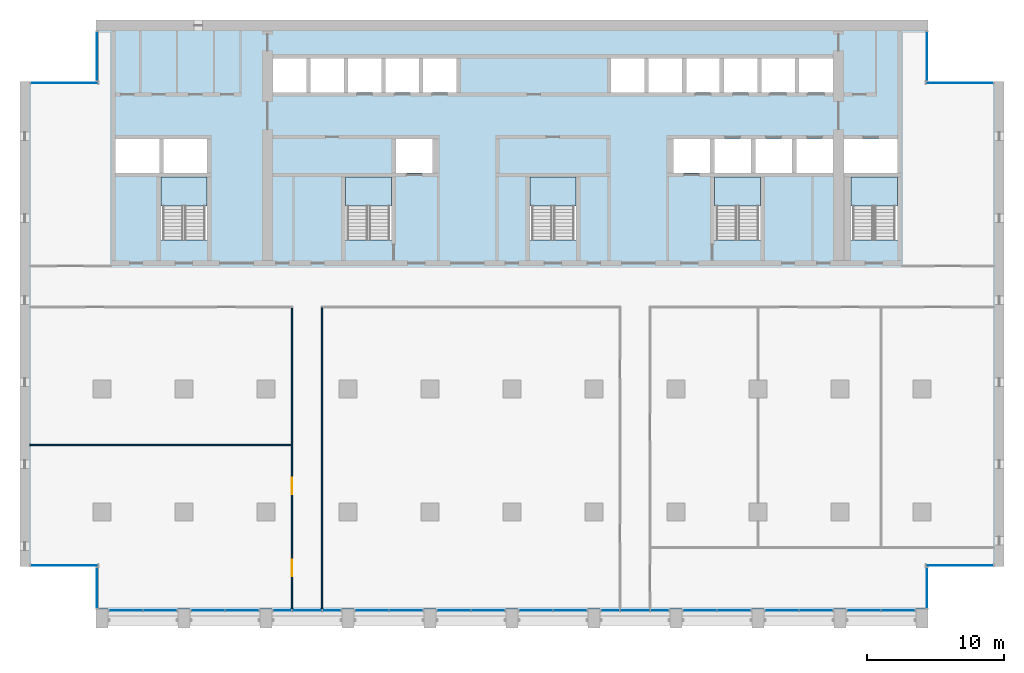
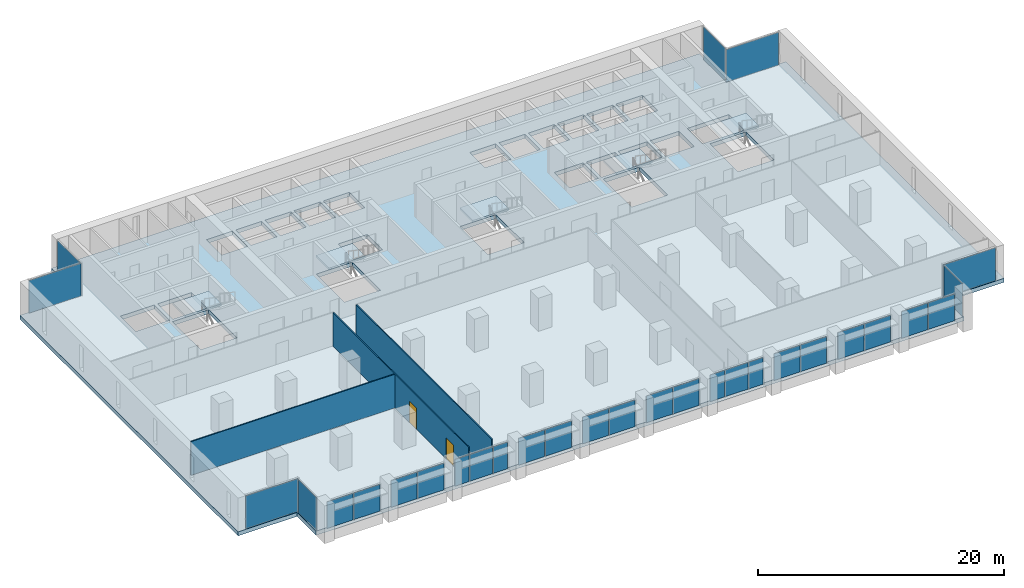
# One storey, part 7 of 15: 30 plates, 6 slabs, 3 walls, 2 doors, 2 openings, 23 elements without a shape of their own.
"""IFC4 building model written with IfcOpenShell, lengths in metres."""

from ifc_helpers import new_model, si_unit, direction, frame, frame_2d, origin, origin_2d, place, context, subcontext, project, spatial, polyline, rectangle, outline, extrude, material, layer, layer_set, type_object, element, fill, aggregate, save


model = new_model("IFC4")

# Units and contexts
model_context = context("Model", 3, precision=1e-05, world=origin(), true_north=direction((0.0, 1.0)))
body_context = subcontext(model_context, "Body", "Model", "MODEL_VIEW")
ifc_project = project(units=[si_unit("LENGTHUNIT", "METRE"), si_unit("AREAUNIT", "SQUARE_METRE"), si_unit("VOLUMEUNIT", "CUBIC_METRE"), si_unit("PLANEANGLEUNIT", "RADIAN"), si_unit("MASSUNIT", "GRAM", prefix="KILO")], contexts=[model_context])

# Site, building, storey
site_placement = place(None, origin())
site = spatial("IfcSite", under=ifc_project, at=site_placement, CompositionType="ELEMENT")
building_placement = place(site_placement, origin())
building = spatial("IfcBuilding", under=site, at=building_placement, Name="Calvaro Tower", CompositionType="ELEMENT")
storey_placement = place(building_placement, frame((0.0, 0.0, 128.75)))
storey = spatial("IfcBuildingStorey", under=building, at=storey_placement, Name="L32", CompositionType="ELEMENT", Elevation=128.75)

# Slab
ifc_material_1 = material(Name="Concrete C40/50", Category="concrete")
ifc_layer_1 = layer(ifc_material_1, 0.39990234375)
ifc_layer_set_1 = layer_set([ifc_layer_1], Name="Concrete C40/50")
slab_type_1 = type_object("IfcSlabType", Name="Floor slab 400 C40/50", PredefinedType="FLOOR", material=ifc_layer_set_1)
slab_1_placement = place(storey_placement, frame((0.0, 0.0, -0.39990234375)))
element("IfcSlab", 1, at=slab_1_placement, inside=storey, type_object=slab_type_1, Name="Floor slab", PredefinedType="FLOOR", context=body_context, shape_type="SweptSolid", body=[
    extrude(outline(polyline([(66.449951171875, 6.0), (66.449951171875, 2.89990234375), (5.550048828125, 2.89990234375), (5.550048828125, 6.0), (0.0, 6.0), (0.0, 41.5), (5.550048828125, 41.5), (5.550048828125, 46.0), (66.449951171875, 46.0), (66.449951171875, 41.5), (72.0, 41.5), (72.0, 6.0), (66.449951171875, 6.0)]), holes=[polyline([(10.300048828125, 29.909912109375), (10.300048828125, 34.5), (12.0, 34.5), (13.699951171875, 34.5), (13.699951171875, 29.909912109375), (12.0, 29.909912109375), (10.300048828125, 29.909912109375)]), polyline([(23.800048828125, 29.909912109375), (23.800048828125, 34.5), (25.5, 34.5), (27.199951171875, 34.5), (27.199951171875, 29.909912109375), (25.5, 29.909912109375), (23.800048828125, 29.909912109375)]), polyline([(37.300048828125, 29.909912109375), (37.300048828125, 34.5), (39.0, 34.5), (40.699951171875, 34.5), (40.699951171875, 29.909912109375), (39.0, 29.909912109375), (37.300048828125, 29.909912109375)]), polyline([(50.800048828125, 29.909912109375), (50.800048828125, 34.5), (52.5, 34.5), (54.199951171875, 34.5), (54.199951171875, 29.909912109375), (52.5, 29.909912109375), (50.800048828125, 29.909912109375)]), polyline([(60.800048828125, 29.909912109375), (60.800048828125, 34.5), (62.5, 34.5), (64.199951171875, 34.5), (64.199951171875, 29.909912109375), (62.5, 29.909912109375), (60.800048828125, 29.909912109375)]), polyline([(50.800048828125, 34.800048828125), (53.5, 34.800048828125), (53.5, 37.300048828125), (50.800048828125, 37.300048828125), (50.800048828125, 34.800048828125)]), polyline([(53.800048828125, 34.800048828125), (56.5, 34.800048828125), (56.5, 37.300048828125), (53.800048828125, 37.300048828125), (53.800048828125, 34.800048828125)]), polyline([(56.800048828125, 34.800048828125), (59.5, 34.800048828125), (59.5, 37.300048828125), (56.800048828125, 37.300048828125), (56.800048828125, 34.800048828125)]), polyline([(18.5, 40.699951171875), (20.949951171875, 40.699951171875), (20.949951171875, 43.199951171875), (18.5, 43.199951171875), (18.5, 40.699951171875)]), polyline([(21.25, 40.699951171875), (23.699951171875, 40.699951171875), (23.699951171875, 43.199951171875), (21.25, 43.199951171875), (21.25, 40.699951171875)]), polyline([(24.0, 40.699951171875), (26.449951171875, 40.699951171875), (26.449951171875, 43.199951171875), (24.0, 43.199951171875), (24.0, 40.699951171875)]), polyline([(26.75, 40.699951171875), (29.199951171875, 40.699951171875), (29.199951171875, 43.199951171875), (26.75, 43.199951171875), (26.75, 40.699951171875)]), polyline([(29.5, 40.699951171875), (31.949951171875, 40.699951171875), (31.949951171875, 43.199951171875), (29.5, 43.199951171875), (29.5, 40.699951171875)]), polyline([(43.25, 40.699951171875), (45.699951171875, 40.699951171875), (45.699951171875, 43.199951171875), (43.25, 43.199951171875), (43.25, 40.699951171875)]), polyline([(46.0, 40.699951171875), (48.449951171875, 40.699951171875), (48.449951171875, 43.199951171875), (46.0, 43.199951171875), (46.0, 40.699951171875)]), polyline([(48.75, 40.699951171875), (51.199951171875, 40.699951171875), (51.199951171875, 43.199951171875), (48.75, 43.199951171875), (48.75, 40.699951171875)]), polyline([(51.5, 40.699951171875), (53.949951171875, 40.699951171875), (53.949951171875, 43.199951171875), (51.5, 43.199951171875), (51.5, 40.699951171875)]), polyline([(54.25, 40.699951171875), (56.699951171875, 40.699951171875), (56.699951171875, 43.199951171875), (54.25, 43.199951171875), (54.25, 40.699951171875)]), polyline([(57.0, 40.699951171875), (59.5, 40.699951171875), (59.5, 43.199951171875), (57.0, 43.199951171875), (57.0, 40.699951171875)]), polyline([(7.0, 34.800048828125), (10.199951171875, 34.800048828125), (10.199951171875, 37.300048828125), (7.0, 37.300048828125), (7.0, 34.800048828125)]), polyline([(10.5, 34.800048828125), (13.699951171875, 34.800048828125), (13.699951171875, 37.300048828125), (10.5, 37.300048828125), (10.5, 34.800048828125)]), polyline([(60.300048828125, 34.800048828125), (64.199951171875, 34.800048828125), (64.199951171875, 37.300048828125), (60.300048828125, 37.300048828125), (60.300048828125, 34.800048828125)]), polyline([(27.5, 34.800048828125), (30.199951171875, 34.800048828125), (30.199951171875, 37.300048828125), (27.5, 37.300048828125), (27.5, 34.800048828125)]), polyline([(47.800048828125, 34.800048828125), (50.5, 34.800048828125), (50.5, 37.300048828125), (47.800048828125, 37.300048828125), (47.800048828125, 34.800048828125)])]), origin(), (0.0, 0.0, 1.0), 0.39990234375),
])

# Curtain wall, plates
ifc_material_2 = material(Name="Anodised aluminium", Category="aluminium")
curtain_wall_type = type_object("IfcCurtainWallType", Name="Office curtain wall, middle zone", PredefinedType="NOTDEFINED", material=ifc_material_2)
curtain_wall_1_placement = place(storey_placement, origin())
curtain_wall_1 = element("IfcCurtainWall", 2, at=curtain_wall_1_placement, inside=storey, type_object=curtain_wall_type, Name="CW2 south curtain wall", PredefinedType="NOTDEFINED")
ifc_material_3 = material(Name="Glass", Category="glass")
ifc_layer_2 = layer(ifc_material_3, 0.031982421875)
ifc_layer_set_2 = layer_set([ifc_layer_2], Name="Glass")
plate_type = type_object("IfcPlateType", Name="Glass panel S2 32", PredefinedType="CURTAIN_PANEL", material=ifc_layer_set_2)
plate_1_placement = place(storey_placement, frame((7.742431640625, 2.800048828125, 0.0), z_axis=(0.0, 0.0, 1.0), x_axis=(1.0, 0.0, 0.0)))
plate_1 = element("IfcPlate", 3, at=plate_1_placement, type_object=plate_type, Name="CW2 glass panel 1.1", PredefinedType="CURTAIN_PANEL", context=body_context, shape_type="SweptSolid", body=[
    extrude(rectangle(XDim=2.445068359375, YDim=0.031982421875, at=origin_2d()), origin(), (0.0, 0.0, 1.0), 2.64990234375),
])
plate_2_placement = place(storey_placement, frame((10.257568359375, 2.800048828125, 0.0), z_axis=(0.0, 0.0, 1.0), x_axis=(1.0, 0.0, 0.0)))
plate_2 = element("IfcPlate", 4, at=plate_2_placement, type_object=plate_type, Name="CW2 glass panel 2.1", PredefinedType="CURTAIN_PANEL", context=body_context, shape_type="SweptSolid", body=[
    extrude(rectangle(XDim=2.445068359375, YDim=0.031982421875, at=origin_2d()), origin(), (0.0, 0.0, 1.0), 2.64990234375),
])
aggregate(curtain_wall_1, [plate_1, plate_2])

curtain_wall_2_placement = place(storey_placement, origin())
curtain_wall_2 = element("IfcCurtainWall", 5, at=curtain_wall_2_placement, inside=storey, type_object=curtain_wall_type, Name="CW2 south curtain wall", PredefinedType="NOTDEFINED")
plate_3_placement = place(storey_placement, frame((13.742431640625, 2.800048828125, 0.0), z_axis=(0.0, 0.0, 1.0), x_axis=(1.0, 0.0, 0.0)))
plate_3 = element("IfcPlate", 6, at=plate_3_placement, type_object=plate_type, Name="CW2 glass panel 1.1", PredefinedType="CURTAIN_PANEL", context=body_context, shape_type="SweptSolid", body=[
    extrude(rectangle(XDim=2.445068359375, YDim=0.031982421875, at=origin_2d()), origin(), (0.0, 0.0, 1.0), 2.64990234375),
])
plate_4_placement = place(storey_placement, frame((16.257568359375, 2.800048828125, 0.0), z_axis=(0.0, 0.0, 1.0), x_axis=(1.0, 0.0, 0.0)))
plate_4 = element("IfcPlate", 7, at=plate_4_placement, type_object=plate_type, Name="CW2 glass panel 2.1", PredefinedType="CURTAIN_PANEL", context=body_context, shape_type="SweptSolid", body=[
    extrude(rectangle(XDim=2.445068359375, YDim=0.031982421875, at=origin_2d()), origin(), (0.0, 0.0, 1.0), 2.64990234375),
])
aggregate(curtain_wall_2, [plate_3, plate_4])

curtain_wall_3_placement = place(storey_placement, origin())
curtain_wall_3 = element("IfcCurtainWall", 8, at=curtain_wall_3_placement, inside=storey, type_object=curtain_wall_type, Name="CW2 south curtain wall", PredefinedType="NOTDEFINED")
plate_5_placement = place(storey_placement, frame((19.1923828125, 2.800048828125, 0.0), z_axis=(0.0, 0.0, 1.0), x_axis=(1.0, 0.0, 0.0)))
plate_5 = element("IfcPlate", 9, at=plate_5_placement, type_object=plate_type, Name="CW2 glass panel 1.1", PredefinedType="CURTAIN_PANEL", context=body_context, shape_type="SweptSolid", body=[
    extrude(rectangle(XDim=1.344970703125, YDim=0.031982421875, at=origin_2d()), origin(), (0.0, 0.0, 1.0), 2.64990234375),
])
plate_6_placement = place(storey_placement, frame((21.0, 2.800048828125, 0.0), z_axis=(0.0, 0.0, 1.0), x_axis=(1.0, 0.0, 0.0)))
plate_6 = element("IfcPlate", 10, at=plate_6_placement, type_object=plate_type, Name="CW2 glass panel 2.1", PredefinedType="CURTAIN_PANEL", context=body_context, shape_type="SweptSolid", body=[
    extrude(rectangle(XDim=2.1298828125, YDim=0.031982421875, at=origin_2d()), origin(), (0.0, 0.0, 1.0), 2.64990234375),
])
plate_7_placement = place(storey_placement, frame((22.8076171875, 2.800048828125, 0.0), z_axis=(0.0, 0.0, 1.0), x_axis=(1.0, 0.0, 0.0)))
plate_7 = element("IfcPlate", 11, at=plate_7_placement, type_object=plate_type, Name="CW2 glass panel 3.1", PredefinedType="CURTAIN_PANEL", context=body_context, shape_type="SweptSolid", body=[
    extrude(rectangle(XDim=1.344970703125, YDim=0.031982421875, at=origin_2d()), origin(), (0.0, 0.0, 1.0), 2.64990234375),
])
aggregate(curtain_wall_3, [plate_5, plate_6, plate_7])

curtain_wall_4_placement = place(storey_placement, origin())
curtain_wall_4 = element("IfcCurtainWall", 12, at=curtain_wall_4_placement, inside=storey, type_object=curtain_wall_type, Name="CW2 south curtain wall", PredefinedType="NOTDEFINED")
plate_8_placement = place(storey_placement, frame((25.742431640625, 2.800048828125, 0.0), z_axis=(0.0, 0.0, 1.0), x_axis=(1.0, 0.0, 0.0)))
plate_8 = element("IfcPlate", 13, at=plate_8_placement, type_object=plate_type, Name="CW2 glass panel 1.1", PredefinedType="CURTAIN_PANEL", context=body_context, shape_type="SweptSolid", body=[
    extrude(rectangle(XDim=2.445068359375, YDim=0.031982421875, at=origin_2d()), origin(), (0.0, 0.0, 1.0), 2.64990234375),
])
plate_9_placement = place(storey_placement, frame((28.257568359375, 2.800048828125, 0.0), z_axis=(0.0, 0.0, 1.0), x_axis=(1.0, 0.0, 0.0)))
plate_9 = element("IfcPlate", 14, at=plate_9_placement, type_object=plate_type, Name="CW2 glass panel 2.1", PredefinedType="CURTAIN_PANEL", context=body_context, shape_type="SweptSolid", body=[
    extrude(rectangle(XDim=2.445068359375, YDim=0.031982421875, at=origin_2d()), origin(), (0.0, 0.0, 1.0), 2.64990234375),
])
aggregate(curtain_wall_4, [plate_8, plate_9])

curtain_wall_5_placement = place(storey_placement, origin())
curtain_wall_5 = element("IfcCurtainWall", 15, at=curtain_wall_5_placement, inside=storey, type_object=curtain_wall_type, Name="CW2 south curtain wall", PredefinedType="NOTDEFINED")
plate_10_placement = place(storey_placement, frame((31.742431640625, 2.800048828125, 0.0), z_axis=(0.0, 0.0, 1.0), x_axis=(1.0, 0.0, 0.0)))
plate_10 = element("IfcPlate", 16, at=plate_10_placement, type_object=plate_type, Name="CW2 glass panel 1.1", PredefinedType="CURTAIN_PANEL", context=body_context, shape_type="SweptSolid", body=[
    extrude(rectangle(XDim=2.445068359375, YDim=0.031982421875, at=origin_2d()), origin(), (0.0, 0.0, 1.0), 2.64990234375),
])
plate_11_placement = place(storey_placement, frame((34.257568359375, 2.800048828125, 0.0), z_axis=(0.0, 0.0, 1.0), x_axis=(1.0, 0.0, 0.0)))
plate_11 = element("IfcPlate", 17, at=plate_11_placement, type_object=plate_type, Name="CW2 glass panel 2.1", PredefinedType="CURTAIN_PANEL", context=body_context, shape_type="SweptSolid", body=[
    extrude(rectangle(XDim=2.445068359375, YDim=0.031982421875, at=origin_2d()), origin(), (0.0, 0.0, 1.0), 2.64990234375),
])
aggregate(curtain_wall_5, [plate_10, plate_11])

curtain_wall_6_placement = place(storey_placement, origin())
curtain_wall_6 = element("IfcCurtainWall", 18, at=curtain_wall_6_placement, inside=storey, type_object=curtain_wall_type, Name="CW2 south curtain wall", PredefinedType="NOTDEFINED")
plate_12_placement = place(storey_placement, frame((37.742431640625, 2.800048828125, 0.0), z_axis=(0.0, 0.0, 1.0), x_axis=(1.0, 0.0, 0.0)))
plate_12 = element("IfcPlate", 19, at=plate_12_placement, type_object=plate_type, Name="CW2 glass panel 1.1", PredefinedType="CURTAIN_PANEL", context=body_context, shape_type="SweptSolid", body=[
    extrude(rectangle(XDim=2.445068359375, YDim=0.031982421875, at=origin_2d()), origin(), (0.0, 0.0, 1.0), 2.64990234375),
])
plate_13_placement = place(storey_placement, frame((40.257568359375, 2.800048828125, 0.0), z_axis=(0.0, 0.0, 1.0), x_axis=(1.0, 0.0, 0.0)))
plate_13 = element("IfcPlate", 20, at=plate_13_placement, type_object=plate_type, Name="CW2 glass panel 2.1", PredefinedType="CURTAIN_PANEL", context=body_context, shape_type="SweptSolid", body=[
    extrude(rectangle(XDim=2.445068359375, YDim=0.031982421875, at=origin_2d()), origin(), (0.0, 0.0, 1.0), 2.64990234375),
])
aggregate(curtain_wall_6, [plate_12, plate_13])

curtain_wall_7_placement = place(storey_placement, origin())
curtain_wall_7 = element("IfcCurtainWall", 21, at=curtain_wall_7_placement, inside=storey, type_object=curtain_wall_type, Name="CW2 south curtain wall", PredefinedType="NOTDEFINED")
plate_14_placement = place(storey_placement, frame((43.1923828125, 2.800048828125, 0.0), z_axis=(0.0, 0.0, 1.0), x_axis=(1.0, 0.0, 0.0)))
plate_14 = element("IfcPlate", 22, at=plate_14_placement, type_object=plate_type, Name="CW2 glass panel 1.1", PredefinedType="CURTAIN_PANEL", context=body_context, shape_type="SweptSolid", body=[
    extrude(rectangle(XDim=1.344970703125, YDim=0.031982421875, at=origin_2d()), origin(), (0.0, 0.0, 1.0), 2.64990234375),
])
plate_15_placement = place(storey_placement, frame((45.0, 2.800048828125, 0.0), z_axis=(0.0, 0.0, 1.0), x_axis=(1.0, 0.0, 0.0)))
plate_15 = element("IfcPlate", 23, at=plate_15_placement, type_object=plate_type, Name="CW2 glass panel 2.1", PredefinedType="CURTAIN_PANEL", context=body_context, shape_type="SweptSolid", body=[
    extrude(rectangle(XDim=2.1298828125, YDim=0.031982421875, at=origin_2d()), origin(), (0.0, 0.0, 1.0), 2.64990234375),
])
plate_16_placement = place(storey_placement, frame((46.8076171875, 2.800048828125, 0.0), z_axis=(0.0, 0.0, 1.0), x_axis=(1.0, 0.0, 0.0)))
plate_16 = element("IfcPlate", 24, at=plate_16_placement, type_object=plate_type, Name="CW2 glass panel 3.1", PredefinedType="CURTAIN_PANEL", context=body_context, shape_type="SweptSolid", body=[
    extrude(rectangle(XDim=1.344970703125, YDim=0.031982421875, at=origin_2d()), origin(), (0.0, 0.0, 1.0), 2.64990234375),
])
aggregate(curtain_wall_7, [plate_14, plate_15, plate_16])

curtain_wall_8_placement = place(storey_placement, origin())
curtain_wall_8 = element("IfcCurtainWall", 25, at=curtain_wall_8_placement, inside=storey, type_object=curtain_wall_type, Name="CW2 south curtain wall", PredefinedType="NOTDEFINED")
plate_17_placement = place(storey_placement, frame((49.742431640625, 2.800048828125, 0.0), z_axis=(0.0, 0.0, 1.0), x_axis=(1.0, 0.0, 0.0)))
plate_17 = element("IfcPlate", 26, at=plate_17_placement, type_object=plate_type, Name="CW2 glass panel 1.1", PredefinedType="CURTAIN_PANEL", context=body_context, shape_type="SweptSolid", body=[
    extrude(rectangle(XDim=2.445068359375, YDim=0.031982421875, at=origin_2d()), origin(), (0.0, 0.0, 1.0), 2.64990234375),
])
plate_18_placement = place(storey_placement, frame((52.257568359375, 2.800048828125, 0.0), z_axis=(0.0, 0.0, 1.0), x_axis=(1.0, 0.0, 0.0)))
plate_18 = element("IfcPlate", 27, at=plate_18_placement, type_object=plate_type, Name="CW2 glass panel 2.1", PredefinedType="CURTAIN_PANEL", context=body_context, shape_type="SweptSolid", body=[
    extrude(rectangle(XDim=2.445068359375, YDim=0.031982421875, at=origin_2d()), origin(), (0.0, 0.0, 1.0), 2.64990234375),
])
aggregate(curtain_wall_8, [plate_17, plate_18])

curtain_wall_9_placement = place(storey_placement, origin())
curtain_wall_9 = element("IfcCurtainWall", 28, at=curtain_wall_9_placement, inside=storey, type_object=curtain_wall_type, Name="CW2 south curtain wall", PredefinedType="NOTDEFINED")
plate_19_placement = place(storey_placement, frame((55.742431640625, 2.800048828125, 0.0), z_axis=(0.0, 0.0, 1.0), x_axis=(1.0, 0.0, 0.0)))
plate_19 = element("IfcPlate", 29, at=plate_19_placement, type_object=plate_type, Name="CW2 glass panel 1.1", PredefinedType="CURTAIN_PANEL", context=body_context, shape_type="SweptSolid", body=[
    extrude(rectangle(XDim=2.445068359375, YDim=0.031982421875, at=origin_2d()), origin(), (0.0, 0.0, 1.0), 2.64990234375),
])
plate_20_placement = place(storey_placement, frame((58.257568359375, 2.800048828125, 0.0), z_axis=(0.0, 0.0, 1.0), x_axis=(1.0, 0.0, 0.0)))
plate_20 = element("IfcPlate", 30, at=plate_20_placement, type_object=plate_type, Name="CW2 glass panel 2.1", PredefinedType="CURTAIN_PANEL", context=body_context, shape_type="SweptSolid", body=[
    extrude(rectangle(XDim=2.445068359375, YDim=0.031982421875, at=origin_2d()), origin(), (0.0, 0.0, 1.0), 2.64990234375),
])
aggregate(curtain_wall_9, [plate_19, plate_20])

curtain_wall_10_placement = place(storey_placement, origin())
curtain_wall_10 = element("IfcCurtainWall", 31, at=curtain_wall_10_placement, inside=storey, type_object=curtain_wall_type, Name="CW2 south curtain wall", PredefinedType="NOTDEFINED")
plate_21_placement = place(storey_placement, frame((61.742431640625, 2.800048828125, 0.0), z_axis=(0.0, 0.0, 1.0), x_axis=(1.0, 0.0, 0.0)))
plate_21 = element("IfcPlate", 32, at=plate_21_placement, type_object=plate_type, Name="CW2 glass panel 1.1", PredefinedType="CURTAIN_PANEL", context=body_context, shape_type="SweptSolid", body=[
    extrude(rectangle(XDim=2.445068359375, YDim=0.031982421875, at=origin_2d()), origin(), (0.0, 0.0, 1.0), 2.64990234375),
])
plate_22_placement = place(storey_placement, frame((64.257568359375, 2.800048828125, 0.0), z_axis=(0.0, 0.0, 1.0), x_axis=(1.0, 0.0, 0.0)))
plate_22 = element("IfcPlate", 33, at=plate_22_placement, type_object=plate_type, Name="CW2 glass panel 2.1", PredefinedType="CURTAIN_PANEL", context=body_context, shape_type="SweptSolid", body=[
    extrude(rectangle(XDim=2.445068359375, YDim=0.031982421875, at=origin_2d()), origin(), (0.0, 0.0, 1.0), 2.64990234375),
])
aggregate(curtain_wall_10, [plate_21, plate_22])

# Curtain wall, plate
curtain_wall_11_placement = place(storey_placement, origin())
curtain_wall_11 = element("IfcCurtainWall", 34, at=curtain_wall_11_placement, inside=storey, type_object=curtain_wall_type, Name="CW2 corner curtain wall", PredefinedType="NOTDEFINED")
plate_23_placement = place(storey_placement, frame((5.64990234375, 4.449951171875, 0.0), z_axis=(0.0, 0.0, 1.0), x_axis=(0.0, 1.0, 0.0)))
plate_23 = element("IfcPlate", 35, at=plate_23_placement, type_object=plate_type, Name="CW2 glass panel 1.1", PredefinedType="CURTAIN_PANEL", context=body_context, shape_type="SweptSolid", body=[
    extrude(rectangle(XDim=2.9599609375, YDim=0.031982421875, at=origin_2d()), origin(), (0.0, 0.0, 1.0), 3.25),
])
aggregate(curtain_wall_11, [plate_23])

curtain_wall_12_placement = place(storey_placement, origin())
curtain_wall_12 = element("IfcCurtainWall", 36, at=curtain_wall_12_placement, inside=storey, type_object=curtain_wall_type, Name="CW2 corner curtain wall", PredefinedType="NOTDEFINED")
plate_24_placement = place(storey_placement, frame((3.22509765625, 6.10009765625, 0.0), z_axis=(0.0, 0.0, 1.0), x_axis=(1.0, 0.0, 0.0)))
plate_24 = element("IfcPlate", 37, at=plate_24_placement, type_object=plate_type, Name="CW2 glass panel 1.1", PredefinedType="CURTAIN_PANEL", context=body_context, shape_type="SweptSolid", body=[
    extrude(rectangle(XDim=4.909912109375, YDim=0.031982421875, at=origin_2d()), origin(), (0.0, 0.0, 1.0), 3.25),
])
aggregate(curtain_wall_12, [plate_24])

curtain_wall_13_placement = place(storey_placement, origin())
curtain_wall_13 = element("IfcCurtainWall", 38, at=curtain_wall_13_placement, inside=storey, type_object=curtain_wall_type, Name="CW2 corner curtain wall", PredefinedType="NOTDEFINED")
plate_25_placement = place(storey_placement, frame((5.64990234375, 43.35009765625, 0.0), z_axis=(0.0, 0.0, 1.0), x_axis=(0.0, 1.0, 0.0)))
plate_25 = element("IfcPlate", 39, at=plate_25_placement, type_object=plate_type, Name="CW2 glass panel 1.1", PredefinedType="CURTAIN_PANEL", context=body_context, shape_type="SweptSolid", body=[
    extrude(rectangle(XDim=3.56005859375, YDim=0.031982421875, at=origin_2d()), origin(), (0.0, 0.0, 1.0), 3.25),
])
aggregate(curtain_wall_13, [plate_25])

curtain_wall_14_placement = place(storey_placement, origin())
curtain_wall_14 = element("IfcCurtainWall", 40, at=curtain_wall_14_placement, inside=storey, type_object=curtain_wall_type, Name="CW2 corner curtain wall", PredefinedType="NOTDEFINED")
plate_26_placement = place(storey_placement, frame((3.22509765625, 41.39990234375, 0.0), z_axis=(0.0, 0.0, 1.0), x_axis=(1.0, 0.0, 0.0)))
plate_26 = element("IfcPlate", 41, at=plate_26_placement, type_object=plate_type, Name="CW2 glass panel 1.1", PredefinedType="CURTAIN_PANEL", context=body_context, shape_type="SweptSolid", body=[
    extrude(rectangle(XDim=4.909912109375, YDim=0.031982421875, at=origin_2d()), origin(), (0.0, 0.0, 1.0), 3.25),
])
aggregate(curtain_wall_14, [plate_26])

curtain_wall_15_placement = place(storey_placement, origin())
curtain_wall_15 = element("IfcCurtainWall", 42, at=curtain_wall_15_placement, inside=storey, type_object=curtain_wall_type, Name="CW2 corner curtain wall", PredefinedType="NOTDEFINED")
plate_27_placement = place(storey_placement, frame((66.35009765625, 4.449951171875, 0.0), z_axis=(0.0, 0.0, 1.0), x_axis=(0.0, 1.0, 0.0)))
plate_27 = element("IfcPlate", 43, at=plate_27_placement, type_object=plate_type, Name="CW2 glass panel 1.1", PredefinedType="CURTAIN_PANEL", context=body_context, shape_type="SweptSolid", body=[
    extrude(rectangle(XDim=2.9599609375, YDim=0.031982421875, at=origin_2d()), origin(), (0.0, 0.0, 1.0), 3.25),
])
aggregate(curtain_wall_15, [plate_27])

curtain_wall_16_placement = place(storey_placement, origin())
curtain_wall_16 = element("IfcCurtainWall", 44, at=curtain_wall_16_placement, inside=storey, type_object=curtain_wall_type, Name="CW2 corner curtain wall", PredefinedType="NOTDEFINED")
plate_28_placement = place(storey_placement, frame((68.77490234375, 6.10009765625, 0.0), z_axis=(0.0, 0.0, 1.0), x_axis=(1.0, 0.0, 0.0)))
plate_28 = element("IfcPlate", 45, at=plate_28_placement, type_object=plate_type, Name="CW2 glass panel 1.1", PredefinedType="CURTAIN_PANEL", context=body_context, shape_type="SweptSolid", body=[
    extrude(rectangle(XDim=4.909912109375, YDim=0.031982421875, at=origin_2d()), origin(), (0.0, 0.0, 1.0), 3.25),
])
aggregate(curtain_wall_16, [plate_28])

curtain_wall_17_placement = place(storey_placement, origin())
curtain_wall_17 = element("IfcCurtainWall", 46, at=curtain_wall_17_placement, inside=storey, type_object=curtain_wall_type, Name="CW2 corner curtain wall", PredefinedType="NOTDEFINED")
plate_29_placement = place(storey_placement, frame((66.35009765625, 43.35009765625, 0.0), z_axis=(0.0, 0.0, 1.0), x_axis=(0.0, 1.0, 0.0)))
plate_29 = element("IfcPlate", 47, at=plate_29_placement, type_object=plate_type, Name="CW2 glass panel 1.1", PredefinedType="CURTAIN_PANEL", context=body_context, shape_type="SweptSolid", body=[
    extrude(rectangle(XDim=3.56005859375, YDim=0.031982421875, at=origin_2d()), origin(), (0.0, 0.0, 1.0), 3.25),
])
aggregate(curtain_wall_17, [plate_29])

curtain_wall_18_placement = place(storey_placement, origin())
curtain_wall_18 = element("IfcCurtainWall", 48, at=curtain_wall_18_placement, inside=storey, type_object=curtain_wall_type, Name="CW2 corner curtain wall", PredefinedType="NOTDEFINED")
plate_30_placement = place(storey_placement, frame((68.77490234375, 41.39990234375, 0.0), z_axis=(0.0, 0.0, 1.0), x_axis=(1.0, 0.0, 0.0)))
plate_30 = element("IfcPlate", 49, at=plate_30_placement, type_object=plate_type, Name="CW2 glass panel 1.1", PredefinedType="CURTAIN_PANEL", context=body_context, shape_type="SweptSolid", body=[
    extrude(rectangle(XDim=4.909912109375, YDim=0.031982421875, at=origin_2d()), origin(), (0.0, 0.0, 1.0), 3.25),
])
aggregate(curtain_wall_18, [plate_30])

# Stair, slab
ifc_material_4 = material(Name="Concrete C40/50", Category="concrete")
stair_type = type_object("IfcStairType", Name="Exit stair 1400 2 flights", PredefinedType="HALF_TURN_STAIR", material=ifc_material_4)
stair_1_placement = place(storey_placement, origin())
stair_1 = element("IfcStair", 50, at=stair_1_placement, inside=storey, type_object=stair_type, Name="Exit stair S1", PredefinedType="HALF_TURN_STAIR")
ifc_material_5 = material(Name="Concrete C40/50", Category="concrete")
ifc_layer_3 = layer(ifc_material_5, 0.199951171875)
ifc_layer_set_3 = layer_set([ifc_layer_3], Name="Concrete C40/50")
slab_type_2 = type_object("IfcSlabType", Name="Stair landing", PredefinedType="LANDING", material=ifc_layer_set_3)
slab_2_placement = place(storey_placement, frame((0.0, 0.0, 1.675048828125)))
slab_2 = element("IfcSlab", 51, at=slab_2_placement, type_object=slab_type_2, Name="Exit stair 1, landing 1", PredefinedType="LANDING", context=body_context, shape_type="SweptSolid", body=[
    extrude(outline(polyline([(11.89990234375, 32.389892578125), (10.5, 32.389892578125), (10.5, 32.39990234375), (10.300048828125, 32.39990234375), (10.300048828125, 34.5), (10.5, 34.5), (11.89990234375, 34.5), (12.10009765625, 34.5), (13.5, 34.5), (13.699951171875, 34.5), (13.699951171875, 32.39990234375), (13.5, 32.39990234375), (13.5, 32.389892578125), (12.10009765625, 32.389892578125), (12.10009765625, 32.39990234375), (11.89990234375, 32.39990234375), (11.89990234375, 32.389892578125)])), origin(), (0.0, 0.0, 1.0), 0.199951171875),
])
aggregate(stair_1, [slab_2])

stair_2_placement = place(storey_placement, origin())
stair_2 = element("IfcStair", 52, at=stair_2_placement, inside=storey, type_object=stair_type, Name="Exit stair S2", PredefinedType="HALF_TURN_STAIR")
slab_3_placement = place(storey_placement, frame((0.0, 0.0, 1.675048828125)))
slab_3 = element("IfcSlab", 53, at=slab_3_placement, type_object=slab_type_2, Name="Exit stair 2, landing 1", PredefinedType="LANDING", context=body_context, shape_type="SweptSolid", body=[
    extrude(outline(polyline([(25.39990234375, 32.389892578125), (24.0, 32.389892578125), (24.0, 32.39990234375), (23.800048828125, 32.39990234375), (23.800048828125, 34.5), (24.0, 34.5), (25.39990234375, 34.5), (25.60009765625, 34.5), (27.0, 34.5), (27.199951171875, 34.5), (27.199951171875, 32.39990234375), (27.0, 32.39990234375), (27.0, 32.389892578125), (25.60009765625, 32.389892578125), (25.60009765625, 32.39990234375), (25.39990234375, 32.39990234375), (25.39990234375, 32.389892578125)])), origin(), (0.0, 0.0, 1.0), 0.199951171875),
])
aggregate(stair_2, [slab_3])

stair_3_placement = place(storey_placement, origin())
stair_3 = element("IfcStair", 54, at=stair_3_placement, inside=storey, type_object=stair_type, Name="Exit stair S3", PredefinedType="HALF_TURN_STAIR")
slab_4_placement = place(storey_placement, frame((0.0, 0.0, 1.675048828125)))
slab_4 = element("IfcSlab", 55, at=slab_4_placement, type_object=slab_type_2, Name="Exit stair 3, landing 1", PredefinedType="LANDING", context=body_context, shape_type="SweptSolid", body=[
    extrude(outline(polyline([(38.89990234375, 32.389892578125), (37.5, 32.389892578125), (37.5, 32.39990234375), (37.300048828125, 32.39990234375), (37.300048828125, 34.5), (37.5, 34.5), (38.89990234375, 34.5), (39.10009765625, 34.5), (40.5, 34.5), (40.699951171875, 34.5), (40.699951171875, 32.39990234375), (40.5, 32.39990234375), (40.5, 32.389892578125), (39.10009765625, 32.389892578125), (39.10009765625, 32.39990234375), (38.89990234375, 32.39990234375), (38.89990234375, 32.389892578125)])), origin(), (0.0, 0.0, 1.0), 0.199951171875),
])
aggregate(stair_3, [slab_4])

stair_4_placement = place(storey_placement, origin())
stair_4 = element("IfcStair", 56, at=stair_4_placement, inside=storey, type_object=stair_type, Name="Exit stair S4", PredefinedType="HALF_TURN_STAIR")
slab_5_placement = place(storey_placement, frame((0.0, 0.0, 1.675048828125)))
slab_5 = element("IfcSlab", 57, at=slab_5_placement, type_object=slab_type_2, Name="Exit stair 4, landing 1", PredefinedType="LANDING", context=body_context, shape_type="SweptSolid", body=[
    extrude(outline(polyline([(52.39990234375, 32.389892578125), (51.0, 32.389892578125), (51.0, 32.39990234375), (50.800048828125, 32.39990234375), (50.800048828125, 34.5), (51.0, 34.5), (52.39990234375, 34.5), (52.60009765625, 34.5), (54.0, 34.5), (54.199951171875, 34.5), (54.199951171875, 32.39990234375), (54.0, 32.39990234375), (54.0, 32.389892578125), (52.60009765625, 32.389892578125), (52.60009765625, 32.39990234375), (52.39990234375, 32.39990234375), (52.39990234375, 32.389892578125)])), origin(), (0.0, 0.0, 1.0), 0.199951171875),
])
aggregate(stair_4, [slab_5])

stair_5_placement = place(storey_placement, origin())
stair_5 = element("IfcStair", 58, at=stair_5_placement, inside=storey, type_object=stair_type, Name="Exit stair S5", PredefinedType="HALF_TURN_STAIR")
slab_6_placement = place(storey_placement, frame((0.0, 0.0, 1.675048828125)))
slab_6 = element("IfcSlab", 59, at=slab_6_placement, type_object=slab_type_2, Name="Exit stair 5, landing 1", PredefinedType="LANDING", context=body_context, shape_type="SweptSolid", body=[
    extrude(outline(polyline([(62.39990234375, 32.389892578125), (61.0, 32.389892578125), (61.0, 32.39990234375), (60.800048828125, 32.39990234375), (60.800048828125, 34.5), (61.0, 34.5), (62.39990234375, 34.5), (62.60009765625, 34.5), (64.0, 34.5), (64.199951171875, 34.5), (64.199951171875, 32.39990234375), (64.0, 32.39990234375), (64.0, 32.389892578125), (62.60009765625, 32.389892578125), (62.60009765625, 32.39990234375), (62.39990234375, 32.39990234375), (62.39990234375, 32.389892578125)])), origin(), (0.0, 0.0, 1.0), 0.199951171875),
])
aggregate(stair_5, [slab_6])

# Wall
ifc_material_6 = material(Name="Plasterboard on steel studs", Category="steel")
ifc_layer_4 = layer(ifc_material_6, 0.10009765625)
ifc_layer_set_4 = layer_set([ifc_layer_4], Name="Plasterboard on steel studs")
wall_type = type_object("IfcWallType", Name="Partition 100", PredefinedType="PARTITIONING", material=ifc_layer_set_4)
wall_1_placement = place(storey_placement, frame((0.699951171875, 14.89990234375, 0.0), z_axis=(0.0, 0.0, 1.0), x_axis=(1.0, 0.0, 0.0)))
element("IfcWall", 60, at=wall_1_placement, inside=storey, type_object=wall_type, Name="Partition T20.W002", PredefinedType="PARTITIONING", context=body_context, shape_type="SweptSolid", body=[
    extrude(rectangle(XDim=19.150146484375, YDim=0.10009765625, at=frame_2d((9.5751953125, 0.0))), origin(), (0.0, 0.0, 1.0), 3.35009765625),
])

# Wall, openings, doors
wall_2_placement = place(storey_placement, frame((19.89990234375, 2.89990234375, 0.0), z_axis=(0.0, 0.0, 1.0), x_axis=(0.0, 1.0, 0.0)))
wall_2 = element("IfcWall", 61, at=wall_2_placement, inside=storey, type_object=wall_type, Name="Partition T20.W008", PredefinedType="PARTITIONING", context=body_context, shape_type="SweptSolid", body=[
    extrude(rectangle(XDim=22.050048828125, YDim=0.10009765625, at=frame_2d((11.02490234375, 0.0))), origin(), (0.0, 0.0, 1.0), 3.35009765625),
])
opening_1_placement = place(wall_2_placement, frame((2.39990234375, 0.0, 0.0)))
opening_1 = element("IfcOpeningElement", 62, at=opening_1_placement, cuts=wall_2, Name="Opening T20.002", PredefinedType="OPENING", context=body_context, shape_type="SweptSolid", body=[
    extrude(rectangle(XDim=1.199951171875, YDim=2.10009765625, at=frame_2d((0.60009765625, 1.050048828125))), frame((0.0, 0.06005859375, 0.0), z_axis=(0.0, -1.0, 0.0), x_axis=(1.0, 0.0, 0.0)), (0.0, 0.0, 1.0), 0.1201171875),
])
opening_2_placement = place(wall_2_placement, frame((8.39990234375, 0.0, 0.0)))
opening_2 = element("IfcOpeningElement", 63, at=opening_2_placement, cuts=wall_2, Name="Opening T20.003", PredefinedType="OPENING", context=body_context, shape_type="SweptSolid", body=[
    extrude(rectangle(XDim=1.199951171875, YDim=2.10009765625, at=frame_2d((0.60009765625, 1.050048828125))), frame((0.0, 0.06005859375, 0.0), z_axis=(0.0, -1.0, 0.0), x_axis=(1.0, 0.0, 0.0)), (0.0, 0.0, 1.0), 0.1201171875),
])
ifc_material_7 = material(Name="Timber", Category="wood")
door_type = type_object("IfcDoorType", Name="Internal single door 1200 x 2100", OperationType="SINGLE_SWING_LEFT", PredefinedType="DOOR", material=ifc_material_7)
door_1_placement = place(opening_1_placement, origin())
door_1 = element("IfcDoor", 64, at=door_1_placement, inside=storey, type_object=door_type, Name="Door T20.002", OperationType="SINGLE_SWING_LEFT", OverallHeight=2.10009765625, OverallWidth=1.199951171875, PredefinedType="DOOR", context=body_context, shape_type="SweptSolid", body=[
    extrude(rectangle(XDim=1.199951171875, YDim=2.10009765625, at=frame_2d((0.60009765625, 1.050048828125))), frame((0.0, 0.02490234375, 0.0), z_axis=(0.0, -1.0, 0.0), x_axis=(1.0, 0.0, 0.0)), (0.0, 0.0, 1.0), 0.050048828125),
])
fill(opening_1, door_1)
door_2_placement = place(opening_2_placement, origin())
door_2 = element("IfcDoor", 65, at=door_2_placement, inside=storey, type_object=door_type, Name="Door T20.003", OperationType="SINGLE_SWING_LEFT", OverallHeight=2.10009765625, OverallWidth=1.199951171875, PredefinedType="DOOR", context=body_context, shape_type="SweptSolid", body=[
    extrude(rectangle(XDim=1.199951171875, YDim=2.10009765625, at=frame_2d((0.60009765625, 1.050048828125))), frame((0.0, 0.02490234375, 0.0), z_axis=(0.0, -1.0, 0.0), x_axis=(1.0, 0.0, 0.0)), (0.0, 0.0, 1.0), 0.050048828125),
])
fill(opening_2, door_2)

# Wall
wall_3_placement = place(storey_placement, frame((22.10009765625, 2.89990234375, 0.0), z_axis=(0.0, 0.0, 1.0), x_axis=(0.0, 1.0, 0.0)))
element("IfcWall", 66, at=wall_3_placement, inside=storey, type_object=wall_type, Name="Partition T20.W009", PredefinedType="PARTITIONING", context=body_context, shape_type="SweptSolid", body=[
    extrude(rectangle(XDim=22.050048828125, YDim=0.10009765625, at=frame_2d((11.02490234375, 0.0))), origin(), (0.0, 0.0, 1.0), 3.35009765625),
])

save(model, "model.ifc")
